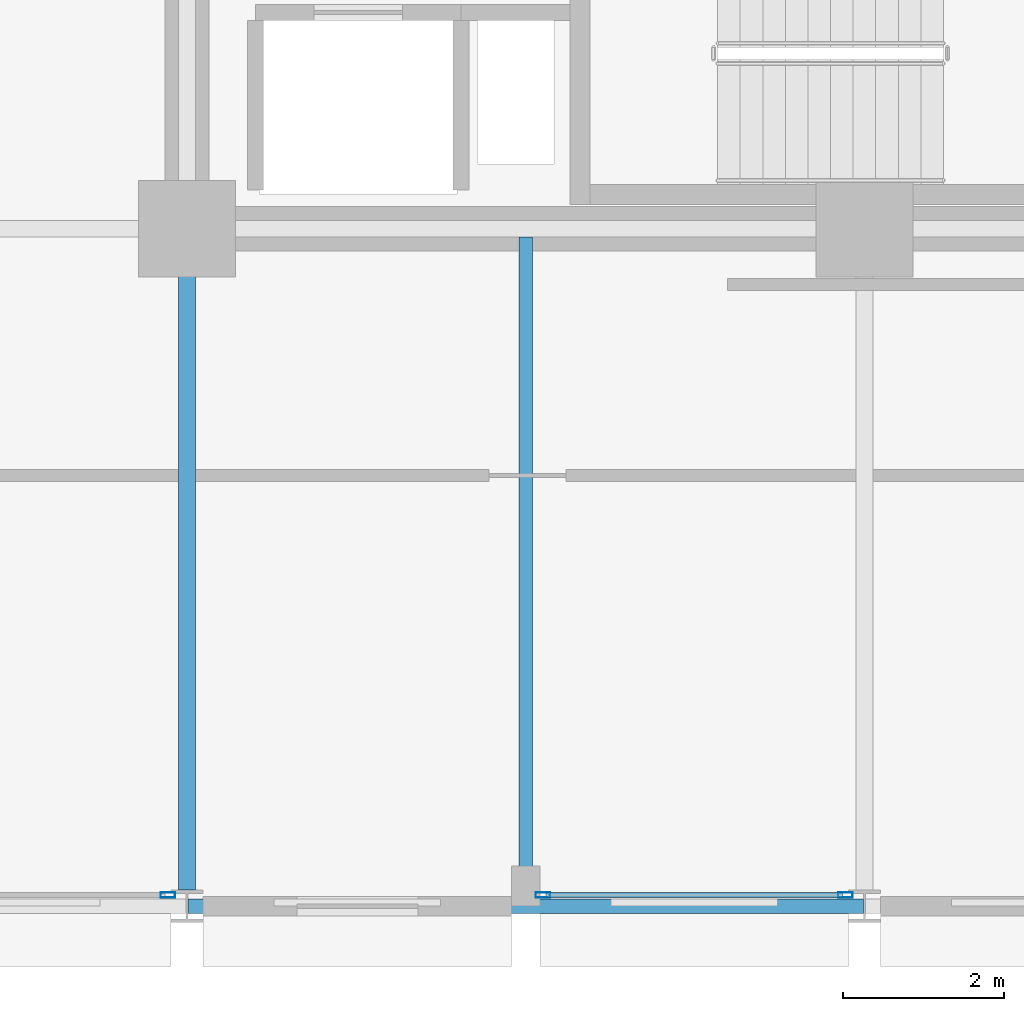
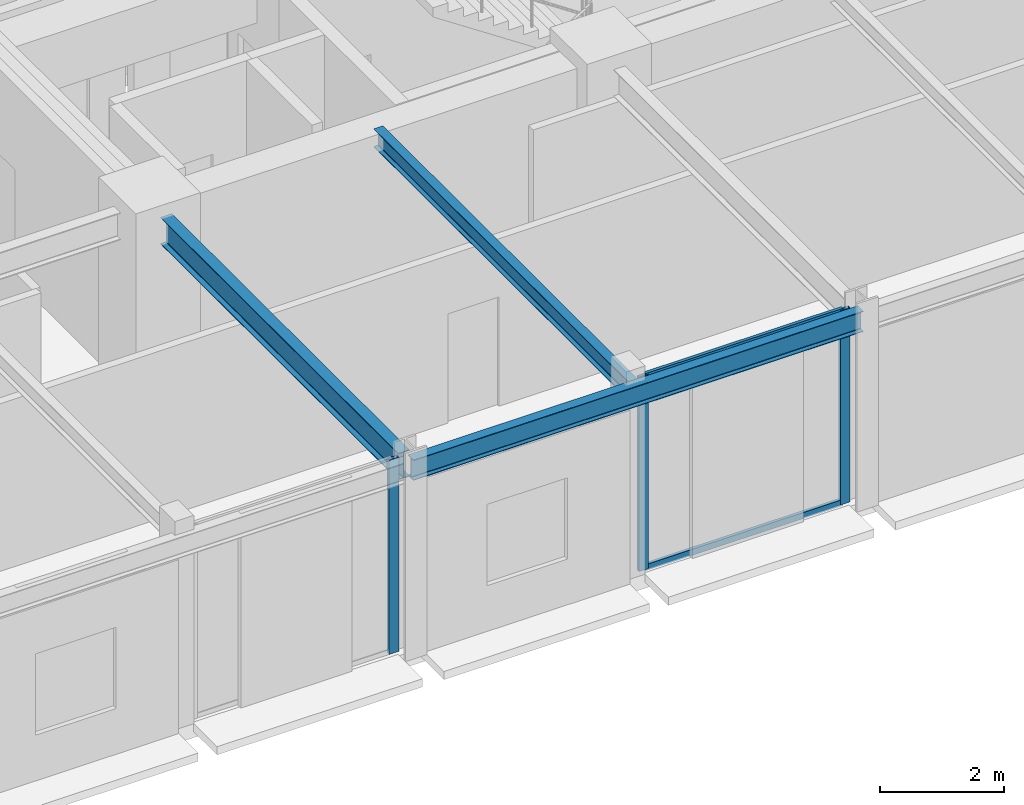
# One storey, part 6 of 30: 5 members, 3 beams, 2 elements without a shape of their own.
"""IFC4 building model written with IfcOpenShell, lengths in metres."""

from ifc_helpers import new_model, si_unit, direction, frame, origin, origin_2d, place, context, subcontext, project, spatial, hollow_rectangle, i_section, extrude, material, layer, layer_set, material_profile, profile_set, type_object, element, aggregate, save


model = new_model("IFC4")

# Units and contexts
model_context = context("Model", 3, precision=1e-05, world=origin(), true_north=direction((0.0, 1.0)))
body_context = subcontext(model_context, "Body", "Model", "MODEL_VIEW")
ifc_project = project(units=[si_unit("LENGTHUNIT", "METRE"), si_unit("AREAUNIT", "SQUARE_METRE"), si_unit("VOLUMEUNIT", "CUBIC_METRE"), si_unit("PLANEANGLEUNIT", "RADIAN"), si_unit("MASSUNIT", "GRAM", prefix="KILO")], contexts=[model_context])

# Site, building, storey
site_placement = place(None, origin())
site = spatial("IfcSite", under=ifc_project, at=site_placement, CompositionType="ELEMENT")
building_placement = place(site_placement, origin())
building = spatial("IfcBuilding", under=site, at=building_placement, Name="Nerrivon Quay Data Exchange", CompositionType="ELEMENT")
storey_placement = place(building_placement, frame((0.0, 0.0, 141.800048828125)))
storey = spatial("IfcBuildingStorey", under=building, at=storey_placement, Name="L33", CompositionType="ELEMENT", Elevation=141.800048828125)

# Beams
ifc_material_1 = material(Name="Steel Grade 350", Category="steel")
ifc_material_profile_1 = material_profile(ifc_material_1, i_section(OverallWidth=0.208984375, OverallDepth=0.528076171875, WebThickness=0.009521484375, FlangeThickness=0.01318359375, FilletRadius=0.013916015625, at=origin_2d()), Name="530UB82.0")
ifc_profile_set_1 = profile_set([ifc_material_profile_1], Name="Steel Grade 350")
beam_type_1 = type_object("IfcBeamType", Name="BM-G4-530UB82", PredefinedType="BEAM", material=ifc_profile_set_1)
beam_1_placement = place(storey_placement, frame((16.800048828125, 0.199951171875, 3.56103515625), z_axis=(0.0, 1.0, 0.0), x_axis=(-1.0, 0.0, 0.0)))
element("IfcBeam", 1, at=beam_1_placement, inside=storey, type_object=beam_type_1, Name="L33 NS Girder X=16.8 (0.0..8.4)", PredefinedType="BEAM", context=body_context, shape_type="SweptSolid", body=[
    extrude(i_section(OverallWidth=0.208984375, OverallDepth=0.528076171875, WebThickness=0.009521484375, FlangeThickness=0.01318359375, FilletRadius=0.013916015625, at=origin_2d()), origin(), (0.0, 0.0, 1.0), 7.66015625),
])
ifc_material_profile_2 = material_profile(ifc_material_1, i_section(OverallWidth=0.1708984375, OverallDepth=0.35595703125, WebThickness=0.00732421875, FlangeThickness=0.011474609375, FilletRadius=0.011474609375, at=origin_2d()), Name="360UB50.7")
ifc_profile_set_2 = profile_set([ifc_material_profile_2], Name="Steel Grade 350")
beam_type_2 = type_object("IfcBeamType", Name="BM-J4-360UB51", PredefinedType="JOIST", material=ifc_profile_set_2)
beam_2_placement = place(storey_placement, frame((21.0, 0.089111328125, 3.64697265625), z_axis=(0.0, 1.0, 0.0), x_axis=(-1.0, 0.0, 0.0)))
element("IfcBeam", 2, at=beam_2_placement, inside=storey, type_object=beam_type_2, Name="L33 Secondary Joist X=21.0 (0.0..8.4)", PredefinedType="JOIST", context=body_context, shape_type="SweptSolid", body=[
    extrude(i_section(OverallWidth=0.1708984375, OverallDepth=0.35595703125, WebThickness=0.00732421875, FlangeThickness=0.011474609375, FilletRadius=0.011474609375, at=origin_2d()), origin(), (0.0, 0.0, 1.0), 8.206298828125),
])
ifc_material_profile_3 = material_profile(ifc_material_1, i_section(OverallWidth=0.177978515625, OverallDepth=0.403076171875, WebThickness=0.007568359375, FlangeThickness=0.010986328125, FilletRadius=0.011474609375, at=origin_2d()), Name="410UB53.7")
ifc_profile_set_3 = profile_set([ifc_material_profile_3], Name="Steel Grade 350")
beam_type_3 = type_object("IfcBeamType", Name="BM-SP2-410UB54", PredefinedType="SPANDREL", material=ifc_profile_set_3)
beam_3_placement = place(storey_placement, frame((16.8125, 0.0, 3.62353515625), z_axis=(1.0, 0.0, 0.0), x_axis=(0.0, 1.0, 0.0)))
element("IfcBeam", 3, at=beam_3_placement, inside=storey, type_object=beam_type_3, Name="L33 EW Girder Y=0.0 (16.8..25.2)", PredefinedType="SPANDREL", context=body_context, shape_type="SweptSolid", body=[
    extrude(i_section(OverallWidth=0.177978515625, OverallDepth=0.403076171875, WebThickness=0.007568359375, FlangeThickness=0.010986328125, FilletRadius=0.011474609375, at=origin_2d()), origin(), (0.0, 0.0, 1.0), 8.375),
])

# Curtain wall, members
ifc_material_2 = material(Name="Anodised aluminium 6063-T6", Category="aluminium")
ifc_layer = layer(ifc_material_2, 0.2099609375)
ifc_layer_set = layer_set([ifc_layer], Name="Anodised aluminium 6063-T6")
curtain_wall_type = type_object("IfcCurtainWallType", Name="CW-SYS-02", PredefinedType="NOTDEFINED", material=ifc_layer_set)
curtain_wall_1_placement = place(storey_placement, origin())
curtain_wall_1 = element("IfcCurtainWall", 4, at=curtain_wall_1_placement, inside=storey, type_object=curtain_wall_type, Name="L33 Unitised Curtain Wall 4", PredefinedType="NOTDEFINED")
ifc_material_profile_4 = material_profile(ifc_material_2, hollow_rectangle(XDim=0.06494140625, YDim=0.179931640625, WallThickness=0.00341796875, at=origin_2d()), Name="ALU-MULL-180x65")
ifc_profile_set_4 = profile_set([ifc_material_profile_4], Name="Anodised aluminium 6063-T6")
member_type_1 = type_object("IfcMemberType", Name="CWM-180x65", PredefinedType="MULLION", material=ifc_profile_set_4)
member_1_placement = place(storey_placement, frame((24.96240234375, 0.139892578125, 0.0), z_axis=(0.0, 0.0, 1.0), x_axis=(0.0, -1.0, 0.0)))
member_1 = element("IfcMember", 5, at=member_1_placement, type_object=member_type_1, Name="CW02 mullion 1", PredefinedType="MULLION", context=body_context, shape_type="SweptSolid", body=[
    extrude(hollow_rectangle(XDim=0.06494140625, YDim=0.179931640625, WallThickness=0.00341796875, at=origin_2d()), origin(), (0.0, 0.0, 1.0), 3.824951171875),
])
member_2_placement = place(storey_placement, frame((21.21240234375, 0.139892578125, 0.0), z_axis=(0.0, 0.0, 1.0), x_axis=(0.0, -1.0, 0.0)))
member_2 = element("IfcMember", 6, at=member_2_placement, type_object=member_type_1, Name="CW02 mullion 2", PredefinedType="MULLION", context=body_context, shape_type="SweptSolid", body=[
    extrude(hollow_rectangle(XDim=0.06494140625, YDim=0.179931640625, WallThickness=0.00341796875, at=origin_2d()), origin(), (0.0, 0.0, 1.0), 3.824951171875),
])

# Curtain wall, member
curtain_wall_2_placement = place(storey_placement, origin())
curtain_wall_2 = element("IfcCurtainWall", 7, at=curtain_wall_2_placement, inside=storey, type_object=curtain_wall_type, Name="L33 Unitised Curtain Wall 6", PredefinedType="NOTDEFINED")
member_3_placement = place(storey_placement, frame((16.5625, 0.139892578125, 0.0), z_axis=(0.0, 0.0, 1.0), x_axis=(0.0, -1.0, 0.0)))
member_3 = element("IfcMember", 8, at=member_3_placement, type_object=member_type_1, Name="CW02 mullion 1", PredefinedType="MULLION", context=body_context, shape_type="SweptSolid", body=[
    extrude(hollow_rectangle(XDim=0.06494140625, YDim=0.179931640625, WallThickness=0.00341796875, at=origin_2d()), origin(), (0.0, 0.0, 1.0), 3.824951171875),
])
aggregate(curtain_wall_2, [member_3])

# Member
ifc_material_profile_5 = material_profile(ifc_material_2, hollow_rectangle(XDim=0.06005859375, YDim=0.1201171875, WallThickness=0.003173828125, at=origin_2d()), Name="ALU-TRAN-120x60")
ifc_profile_set_5 = profile_set([ifc_material_profile_5], Name="Anodised aluminium 6063-T6")
member_type_2 = type_object("IfcMemberType", Name="CWT-120x60", PredefinedType="USERDEFINED", material=ifc_profile_set_5)
member_4_placement = place(storey_placement, frame((24.925048828125, 0.139892578125, 0.032470703125), z_axis=(-1.0, 0.0, 0.0), x_axis=(0.0, -1.0, 0.0)))
member_4 = element("IfcMember", 9, at=member_4_placement, type_object=member_type_2, Name="CW02 transom 1.1", ObjectType="TRANSOM", PredefinedType="USERDEFINED", context=body_context, shape_type="SweptSolid", body=[
    extrude(hollow_rectangle(XDim=0.06005859375, YDim=0.1201171875, WallThickness=0.003173828125, at=origin_2d()), origin(), (0.0, 0.0, 1.0), 3.675048828125),
])

member_5_placement = place(storey_placement, frame((24.925048828125, 0.139892578125, 3.79248046875), z_axis=(-1.0, 0.0, 0.0), x_axis=(0.0, -1.0, 0.0)))
member_5 = element("IfcMember", 10, at=member_5_placement, type_object=member_type_2, Name="CW02 transom 1.2", ObjectType="TRANSOM", PredefinedType="USERDEFINED", context=body_context, shape_type="SweptSolid", body=[
    extrude(hollow_rectangle(XDim=0.06005859375, YDim=0.1201171875, WallThickness=0.003173828125, at=origin_2d()), origin(), (0.0, 0.0, 1.0), 3.675048828125),
])

aggregate(curtain_wall_1, [member_1, member_2, member_4, member_5])

save(model, "model.ifc")
